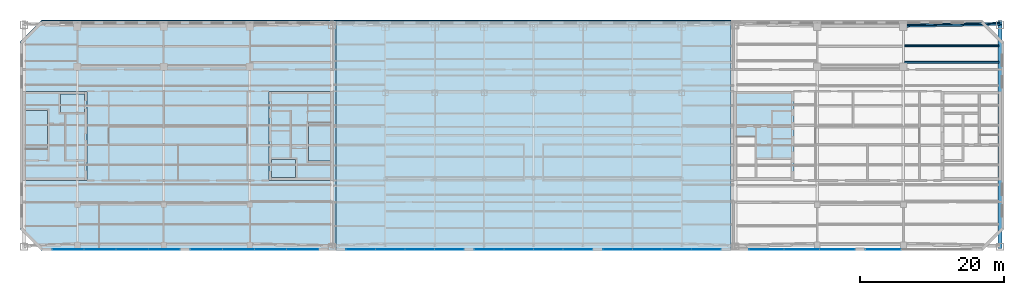
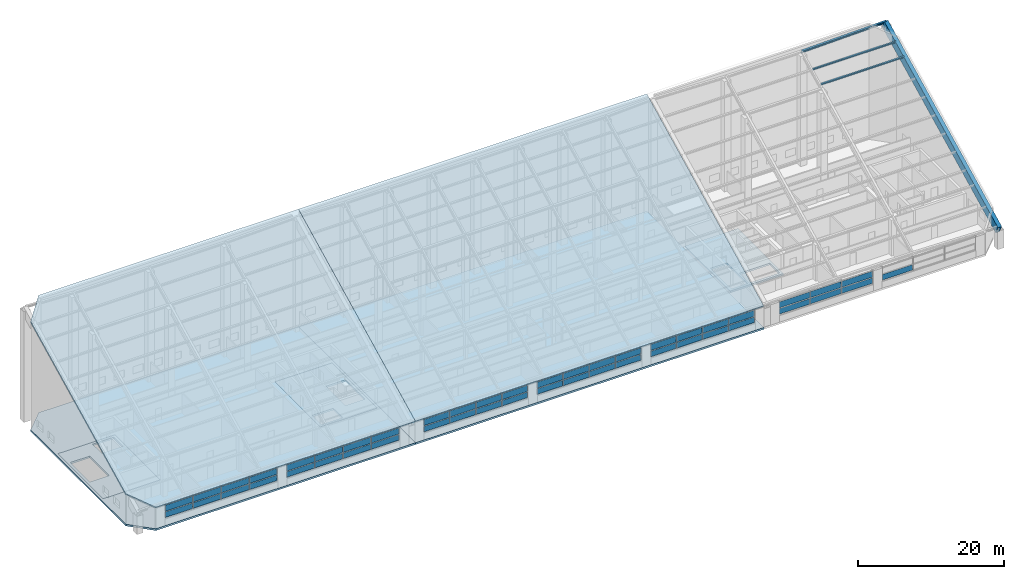
# One storey, part 17 of 28: 47 plates, 7 slabs, 4 members, 7 elements without a shape of their own.
"""IFC4 building model written with IfcOpenShell, lengths in metres."""

import ifcopenshell
import ifcopenshell.guid

model = None  # the IFC model being written
_history = None  # IfcOwnerHistory: only IFC2X3 demands one
_inside = {}  # id of a spatial element -> (the spatial element, [elements in it])
_under = {}  # id of a project, library or spatial element -> (it, [spatial elements below it])
_declared = {}  # id of a project -> (the project, [libraries it declares])
_typed = {}  # id of a type object -> (the type object, [elements of that type])
_made_of = {}  # id of a material, layer set ... -> (it, [elements and type objects made of it])


def new_model(schema):
    """Start an empty IFC model of exactly this schema.

    Asked for "IFC4X3", IfcOpenShell would pick the latest addendum, in which some entities
    have other attributes; the version numbers below select the first issue.
    IFC2X3 requires an IfcOwnerHistory on every rooted entity: one is made here for all.
    """
    global model, _history
    if schema == "IFC4X3":
        model = ifcopenshell.file(schema_version=(4, 3, 0, 0))
    else:
        model = ifcopenshell.file(schema=schema)
    _inside.clear()
    _under.clear()
    _declared.clear()
    _typed.clear()
    _made_of.clear()
    _history = None
    if model.schema == "IFC2X3":
        org = make("IfcOrganization", Name="unknown")
        user = make(
            "IfcPersonAndOrganization",
            ThePerson=make("IfcPerson", FamilyName="unknown"),
            TheOrganization=org,
        )
        app = make(
            "IfcApplication",
            ApplicationDeveloper=org,
            Version="unknown",
            ApplicationFullName="unknown",
            ApplicationIdentifier="unknown",
        )
        _history = make(
            "IfcOwnerHistory",
            OwningUser=user,
            OwningApplication=app,
            ChangeAction="ADDED",
            CreationDate=0,
        )
    return model


def make(cls, **values):
    """One entity of the class cls with the attributes given. An attribute that is None is left unset."""
    return model.create_entity(
        cls, **{name: value for name, value in values.items() if value is not None}
    )


def rooted(cls, **values):
    """An entity with a GlobalId (a new one), such as an element, a storey or a relation."""
    return make(cls, GlobalId=ifcopenshell.guid.new(), OwnerHistory=_history, **values)


def si_unit(unit_type, name, prefix=None):
    """IfcSIUnit, for example si_unit("LENGTHUNIT", "METRE", prefix="MILLI")."""
    return make("IfcSIUnit", UnitType=unit_type, Prefix=prefix, Name=name)


def assignment(units):
    """IfcUnitAssignment: the units of a project."""
    return None if units is None else make("IfcUnitAssignment", Units=units)


def point(xyz):
    """IfcCartesianPoint."""
    return None if xyz is None else make("IfcCartesianPoint", Coordinates=xyz)


def direction(xyz):
    """IfcDirection."""
    return None if xyz is None else make("IfcDirection", DirectionRatios=xyz)


def frame(location, z_axis=None, x_axis=None):
    """IfcAxis2Placement3D, a coordinate frame: its origin and axes. An axis left out is left unset."""
    return make(
        "IfcAxis2Placement3D",
        Location=point(location),
        Axis=direction(z_axis),
        RefDirection=direction(x_axis),
    )


def frame_2d(location, x_axis=None):
    """IfcAxis2Placement2D, a coordinate frame in the plane: its origin and x axis."""
    return make(
        "IfcAxis2Placement2D", Location=point(location), RefDirection=direction(x_axis)
    )


def origin():
    """The frame at (0, 0, 0) with its axes left unset."""
    return frame((0.0, 0.0, 0.0))


def origin_2d():
    """The frame at (0, 0) in the plane with its x axis left unset."""
    return frame_2d((0.0, 0.0))


def place(relative_to, where):
    """IfcLocalPlacement: puts the frame where relative to a parent placement (None: the world)."""
    return make(
        "IfcLocalPlacement", PlacementRelTo=relative_to, RelativePlacement=where
    )


def context(
    kind, dimensions, precision=None, world=None, true_north=None, identifier=None
):
    """IfcGeometricRepresentationContext, for example the 3D "Model" context."""
    return make(
        "IfcGeometricRepresentationContext",
        ContextIdentifier=identifier,
        ContextType=kind,
        CoordinateSpaceDimension=dimensions,
        Precision=precision,
        WorldCoordinateSystem=world,
        TrueNorth=true_north,
    )


def subcontext(parent, identifier, kind, view, scale=None):
    """IfcGeometricRepresentationSubContext, for example "Body" below "Model"."""
    return make(
        "IfcGeometricRepresentationSubContext",
        ContextIdentifier=identifier,
        ContextType=kind,
        ParentContext=parent,
        TargetScale=scale,
        TargetView=view,
    )


def project(units=None, contexts=None):
    """IfcProject with its units and contexts."""
    return rooted(
        "IfcProject",
        Name="project",
        RepresentationContexts=contexts,
        UnitsInContext=assignment(units),
    )


def spatial(cls, under=None, at=None, **own):
    """A site, building, storey or space (cls), placed at a placement, below another one or the project."""
    s = rooted(cls, ObjectPlacement=at, **own)
    if under is not None:
        _under.setdefault(under.id(), (under, []))[1].append(s)
    return s


def polyline(points):
    """IfcPolyline through the points."""
    return make("IfcPolyline", Points=[point(p) for p in points])


def profile(cls, at=None, kind="AREA", **sizes):
    """A parametric profile (cls). Its sizes go by their IFC names, for example OverallWidth=200.0."""
    return make(cls, ProfileType=kind, Position=at, **sizes)


def rectangle(**sizes):
    """IfcRectangleProfileDef."""
    return profile("IfcRectangleProfileDef", **sizes)


def hollow_rectangle(**sizes):
    """IfcRectangleHollowProfileDef."""
    return profile("IfcRectangleHollowProfileDef", **sizes)


def i_section(**sizes):
    """IfcIShapeProfileDef."""
    return profile("IfcIShapeProfileDef", **sizes)


def outline(outer, holes=None, kind="AREA"):
    """IfcArbitraryClosedProfileDef: a profile drawn as a closed curve; with holes, ...WithVoids."""
    if holes is None:
        return make("IfcArbitraryClosedProfileDef", ProfileType=kind, OuterCurve=outer)
    return make(
        "IfcArbitraryProfileDefWithVoids",
        ProfileType=kind,
        OuterCurve=outer,
        InnerCurves=holes,
    )


def extrude(swept, where, along, depth):
    """IfcExtrudedAreaSolid: the profile swept, set in the frame where, extruded along a direction by depth."""
    return make(
        "IfcExtrudedAreaSolid",
        SweptArea=swept,
        Position=where,
        ExtrudedDirection=direction(along),
        Depth=depth,
    )


def shape(context_of_items, identifier, shape_type, items):
    """IfcShapeRepresentation: the items that make up one representation, for example the "Body"."""
    return make(
        "IfcShapeRepresentation",
        ContextOfItems=context_of_items,
        RepresentationIdentifier=identifier,
        RepresentationType=shape_type,
        Items=items,
    )


def material(Name=None, Category=None):
    """IfcMaterial."""
    return make("IfcMaterial", Name=Name, Category=Category)


def layer(
    of_material, thickness, ventilated=None, Name=None, Category=None, Priority=None
):
    """IfcMaterialLayer: one layer of a wall or slab, of a material (None: an air gap)."""
    return make(
        "IfcMaterialLayer",
        Material=of_material,
        LayerThickness=thickness,
        IsVentilated=ventilated,
        Name=Name,
        Category=Category,
        Priority=Priority,
    )


def layer_set(layers, Name=None):
    """IfcMaterialLayerSet."""
    return make("IfcMaterialLayerSet", MaterialLayers=layers, LayerSetName=Name)


def material_profile(
    of_material, cross_section, Name=None, Category=None, Priority=None
):
    """IfcMaterialProfile: a cross section and its material."""
    return make(
        "IfcMaterialProfile",
        Name=Name,
        Material=of_material,
        Profile=cross_section,
        Priority=Priority,
        Category=Category,
    )


def profile_set(profiles, Name=None, composite=None):
    """IfcMaterialProfileSet."""
    return make(
        "IfcMaterialProfileSet",
        Name=Name,
        MaterialProfiles=profiles,
        CompositeProfile=composite,
    )


def made_of(thing, what):
    """Note that an element or type object is made of a material, layer set ...; save() writes the relation."""
    if what is not None:
        _made_of.setdefault(what.id(), (what, []))[1].append(thing)
    return thing


def type_object(cls, material=None, **own):
    """A type object (cls), such as IfcWallType, which elements share."""
    return made_of(rooted(cls, **own), material)


def element(
    cls,
    number,
    at=None,
    inside=None,
    cuts=None,
    type_object=None,
    material=None,
    context=None,
    identifier="Body",
    shape_type=None,
    held_by="IfcProductDefinitionShape",
    body=None,
    shapes=None,
    **own,
):
    """One element of the class cls, such as IfcWall. Its Tag is "e" and its number.

    at: its placement. inside: the storey or other place that contains it. cuts: it is an
    opening in that element (IfcRelVoidsElement). A single representation is given by context,
    identifier, shape_type and body (its items); several are given by shapes. held_by: the class
    of the entity that holds the representations. save() writes the other relations.
    """
    e = rooted(cls, Tag="e%d" % number, ObjectPlacement=at, **own)
    if body is not None:
        shapes = [shape(context, identifier, shape_type, body)]
    if shapes is not None:
        e.Representation = make(held_by, Representations=shapes)
    if inside is not None:
        _inside.setdefault(inside.id(), (inside, []))[1].append(e)
    if cuts is not None:
        rooted(
            "IfcRelVoidsElement", RelatingBuildingElement=cuts, RelatedOpeningElement=e
        )
    if type_object is not None:
        _typed.setdefault(type_object.id(), (type_object, []))[1].append(e)
    return made_of(e, material)


def aggregate(whole, parts):
    """IfcRelAggregates: a whole, such as a stair, and the parts it consists of."""
    return rooted("IfcRelAggregates", RelatingObject=whole, RelatedObjects=parts)


def save(model, path):
    """Write the relations noted so far, then the file.

    IfcRelAggregates (storeys below a building ...), IfcRelContainedInSpatialStructure (elements
    in a storey), IfcRelDefinesByType, IfcRelAssociatesMaterial and IfcRelDeclares: one each for
    every whole, place, type object, material and project.
    """
    for whole, parts in _under.values():
        aggregate(whole, parts)
    for where, things in _inside.values():
        rooted(
            "IfcRelContainedInSpatialStructure",
            RelatedElements=things,
            RelatingStructure=where,
        )
    for kind, things in _typed.values():
        rooted("IfcRelDefinesByType", RelatedObjects=things, RelatingType=kind)
    for what, things in _made_of.values():
        rooted("IfcRelAssociatesMaterial", RelatedObjects=things, RelatingMaterial=what)
    for by, libraries in _declared.values():
        rooted("IfcRelDeclares", RelatingContext=by, RelatedDefinitions=libraries)
    model.write(path)


model = new_model("IFC4")

# Units and contexts
model_context = context("Model", 3, precision=1e-05, world=origin(), true_north=direction((0.0, 1.0)))
body_context = subcontext(model_context, "Body", "Model", "MODEL_VIEW")
ifc_project = project(units=[si_unit("LENGTHUNIT", "METRE"), si_unit("AREAUNIT", "SQUARE_METRE"), si_unit("VOLUMEUNIT", "CUBIC_METRE"), si_unit("PLANEANGLEUNIT", "RADIAN"), si_unit("MASSUNIT", "GRAM", prefix="KILO")], contexts=[model_context])

# Site, building, storey
site_placement = place(None, origin())
site = spatial("IfcSite", under=ifc_project, at=site_placement, CompositionType="ELEMENT")
building_placement = place(site_placement, origin())
building = spatial("IfcBuilding", under=site, at=building_placement, Name="Tuart Gate Housing", CompositionType="ELEMENT")
storey_placement = place(building_placement, frame((0.0, 0.0, 243.89990234375)))
storey = spatial("IfcBuildingStorey", under=building, at=storey_placement, Name="L68", CompositionType="ELEMENT", Elevation=243.89990234375)

# Members
ifc_material_1 = material(Name="Steel Grade 350", Category="steel")
ifc_material_profile_1 = material_profile(ifc_material_1, i_section(OverallWidth=0.22900390625, OverallDepth=0.612060546875, WebThickness=0.011962890625, FlangeThickness=0.01953125, at=origin_2d()), Name="610UB125")
ifc_profile_set_1 = profile_set([ifc_material_profile_1], Name="Steel Grade 350")
member_type_1 = type_object("IfcMemberType", Name="Crown purlin 610 UB125 (11.5-13.5 m)", PredefinedType="PURLIN", material=ifc_profile_set_1)
member_1_placement = place(storey_placement, frame((155.0, 85.3369140625, 18.62646484375), z_axis=(0.999784137114, 0.018583415738, 0.009291707869), x_axis=(-0.020776890343, 0.894195116491, 0.447195051931)))
element("IfcMember", 1, at=member_1_placement, inside=storey, type_object=member_type_1, Name="Crown purlin 45", PredefinedType="PURLIN", context=body_context, shape_type="SweptSolid", body=[
    extrude(i_section(OverallWidth=0.22900390625, OverallDepth=0.612060546875, WebThickness=0.011962890625, FlangeThickness=0.01953125, at=origin_2d()), origin(), (0.0, 0.0, 1.0), 13.452880859375),
])
ifc_material_2 = material(Name="Steel Grade 350", Category="steel")
ifc_material_profile_2 = material_profile(ifc_material_2, hollow_rectangle(XDim=0.60009765625, YDim=1.39990234375, WallThickness=0.0419921875, at=origin_2d()), Name="BOX 1400x600x42")
ifc_profile_set_2 = profile_set([ifc_material_profile_2], Name="Steel Grade 350")
member_type_2 = type_object("IfcMemberType", Name="Crown rafter BOX 1400x600x42", PredefinedType="RAFTER", material=ifc_profile_set_2)
member_2_placement = place(storey_placement, frame((168.449951171875, 54.613037109375, 2.823974609375), z_axis=(0.0, 0.894427191, 0.4472135955), x_axis=(-1.0, 0.0, 0.0)))
element("IfcMember", 2, at=member_2_placement, inside=storey, type_object=member_type_2, Name="Crown rafter 40", PredefinedType="RAFTER", context=body_context, shape_type="SweptSolid", body=[
    extrude(hollow_rectangle(XDim=0.60009765625, YDim=1.39990234375, WallThickness=0.0419921875, at=origin_2d()), origin(), (0.0, 0.0, 1.0), 34.82666015625),
])
ifc_material_3 = material(Name="Steel Grade 350", Category="steel")
ifc_material_profile_3 = material_profile(ifc_material_3, i_section(OverallWidth=0.177978515625, OverallDepth=0.403076171875, WebThickness=0.007568359375, FlangeThickness=0.010986328125, at=origin_2d()), Name="410UB53.7")
ifc_profile_set_3 = profile_set([ifc_material_profile_3], Name="Steel Grade 350")
member_type_3 = type_object("IfcMemberType", Name="Crown secondary purlin 410 UB53.7", PredefinedType="PURLIN", material=ifc_profile_set_3)
for number, where, z_axis, x_axis, name in (
    (3, (155.114501953125, 80.2626953125, 16.206298828125), (1.0, 0.0, 0.0), (0.0, 0.89442680992, 0.44721435766), "Crown secondary purlin 114"),
    (4, (155.114501953125, 82.526611328125, 17.338134765625), (1.0, 0.0, 0.0), (0.0, 0.89442680992, 0.44721435766), "Crown secondary purlin 129"),
):
    element("IfcMember", number, at=place(storey_placement, frame(where, z_axis=z_axis, x_axis=x_axis)), inside=storey, type_object=member_type_3, Name=name, PredefinedType="PURLIN", context=body_context, shape_type="SweptSolid", body=[
        extrude(i_section(OverallWidth=0.177978515625, OverallDepth=0.403076171875, WebThickness=0.007568359375, FlangeThickness=0.010986328125, at=origin_2d()), origin(), (0.0, 0.0, 1.0), 13.160400390625),
    ])

# Slabs
ifc_material_4 = material(Name="Zinc standing seam roof on insulated deck")
ifc_layer_1 = layer(ifc_material_4, 0.268310546875)
ifc_layer_set_1 = layer_set([ifc_layer_1], Name="CROWN ROOF")
slab_type_1 = type_object("IfcSlabType", Name="CROWN ROOF", PredefinedType="ROOF", material=ifc_layer_set_1)
slab_1_placement = place(storey_placement, frame((35.0, 54.0, 3.60009765625), z_axis=(0.0, -0.4472135955, 0.894427191), x_axis=(-0.666666666667, 0.666666666667, 0.333333333333)))
element("IfcSlab", 5, at=slab_1_placement, inside=storey, type_object=slab_type_1, Name="Crown roof 1", PredefinedType="ROOF", context=body_context, shape_type="SweptSolid", body=[
    extrude(outline(polyline([(0.0, 0.0), (4.5, 0.0), (26.166666666666664, -19.379255804998174), (26.666666666666664, -23.851391759997753), (-0.666666666666667, -54.41098745249488), (-27.333333333333332, -30.559595692497123), (0.0, 0.0)])), origin(), (0.0, 0.0, -1.0), 0.268310546875),
])
slab_2_placement = place(storey_placement, frame((76.0, 54.0, 3.60009765625), z_axis=(0.0, -0.4472135955, 0.894427191), x_axis=(0.0, 0.894427191, 0.4472135955)))
element("IfcSlab", 6, at=slab_2_placement, inside=storey, type_object=slab_type_1, Name="Crown roof 2", PredefinedType="ROOF", context=body_context, shape_type="SweptSolid", body=[
    extrude(outline(polyline([(0.0, 0.0), (35.77708763999664, 0.0), (35.77708763999664, -55.000000000000014), (0.0, -55.000000000000014), (0.0, 0.0)])), origin(), (0.0, 0.0, -1.0), 0.268310546875),
])
ifc_material_5 = material(Name="Concrete C40", Category="concrete")
ifc_layer_2 = layer(ifc_material_5, 0.300048828125)
ifc_layer_set_2 = layer_set([ifc_layer_2], Name="Core floor slab 300")
slab_type_2 = type_object("IfcSlabType", Name="Core floor slab 300", PredefinedType="FLOOR", material=ifc_layer_set_2)
slab_3_placement = place(storey_placement, frame((0.0, 0.0, -0.2998046875)))
element("IfcSlab", 7, at=slab_3_placement, inside=storey, type_object=slab_type_2, Name="Core floor AG", PredefinedType="FLOOR", context=body_context, shape_type="SweptSolid", body=[
    extrude(outline(polyline([(66.639892578125, 63.800048828125), (75.639892578125, 63.800048828125), (75.639892578125, 76.199951171875), (66.639892578125, 76.199951171875), (66.639892578125, 63.800048828125)]), holes=[polyline([(67.0400390625, 64.199951171875), (70.385009765625, 64.199951171875), (70.385009765625, 66.72509765625), (67.0400390625, 66.72509765625), (67.0400390625, 64.199951171875)]), polyline([(72.1650390625, 66.47509765625), (75.239990234375, 66.47509765625), (75.239990234375, 71.804931640625), (72.1650390625, 71.804931640625), (72.1650390625, 66.47509765625)])]), origin(), (0.0, 0.0, 1.0), 0.2998046875),
])
slab_4_placement = place(storey_placement, frame((0.0, 0.0, -0.2998046875)))
element("IfcSlab", 8, at=slab_4_placement, inside=storey, type_object=slab_type_2, Name="Core floor AK", PredefinedType="FLOOR", context=body_context, shape_type="SweptSolid", body=[
    extrude(outline(polyline([(32.360107421875, 63.800048828125), (41.360107421875, 63.800048828125), (41.360107421875, 76.199951171875), (32.360107421875, 76.199951171875), (32.360107421875, 63.800048828125)]), holes=[polyline([(40.9599609375, 75.800048828125), (37.614990234375, 75.800048828125), (37.614990234375, 73.27490234375), (40.9599609375, 73.27490234375), (40.9599609375, 75.800048828125)]), polyline([(35.8349609375, 73.52490234375), (32.760009765625, 73.52490234375), (32.760009765625, 68.195068359375), (35.8349609375, 68.195068359375), (35.8349609375, 73.52490234375)])]), origin(), (0.0, 0.0, 1.0), 0.2998046875),
])
slab_5_placement = place(storey_placement, frame((0.0, 0.0, -0.2998046875)))
element("IfcSlab", 9, at=slab_5_placement, inside=storey, type_object=slab_type_2, Name="Core floor BG", PredefinedType="FLOOR", context=body_context, shape_type="SweptSolid", body=[
    extrude(outline(polyline([(131.360107421875, 63.800048828125), (139.760009765625, 63.800048828125), (139.760009765625, 76.199951171875), (131.360107421875, 76.199951171875), (131.360107421875, 63.800048828125)]), holes=[polyline([(139.360107421875, 66.85009765625), (134.5849609375, 66.85009765625), (134.5849609375, 64.199951171875), (139.360107421875, 64.199951171875), (139.360107421875, 66.85009765625)]), polyline([(134.3349609375, 69.85498046875), (131.760009765625, 69.85498046875), (131.760009765625, 64.199951171875), (134.3349609375, 64.199951171875), (134.3349609375, 69.85498046875)])]), origin(), (0.0, 0.0, 1.0), 0.2998046875),
])
ifc_material_6 = material(Name="Concrete C40", Category="concrete")
ifc_layer_3 = layer(ifc_material_6, 0.300048828125)
ifc_layer_set_3 = layer_set([ifc_layer_3], Name="Flat plate 300")
slab_type_3 = type_object("IfcSlabType", Name="Flat plate 300", PredefinedType="FLOOR", material=ifc_layer_set_3)
slab_6_placement = place(storey_placement, frame((0.0, 0.0, -0.2998046875)))
element("IfcSlab", 10, at=slab_6_placement, inside=storey, type_object=slab_type_3, Name="Floor slab A L68", PredefinedType="FLOOR", context=body_context, shape_type="SweptSolid", body=[
    extrude(outline(polyline([(35.0, 86.0), (32.0, 83.0), (32.0, 57.0), (35.0, 54.0), (76.0, 54.0), (76.0, 86.0), (35.0, 86.0)]), holes=[polyline([(66.639892578125, 76.199951171875), (75.639892578125, 76.199951171875), (75.639892578125, 63.800048828125), (66.639892578125, 63.800048828125), (66.639892578125, 76.199951171875)]), polyline([(41.360107421875, 76.199951171875), (41.360107421875, 63.800048828125), (32.360107421875, 63.800048828125), (32.360107421875, 76.199951171875), (41.360107421875, 76.199951171875)])]), origin(), (0.0, 0.0, 1.0), 0.2998046875),
])
slab_7_placement = place(storey_placement, frame((0.0, 0.0, -0.2998046875)))
element("IfcSlab", 11, at=slab_7_placement, inside=storey, type_object=slab_type_3, Name="Link floor slab L68", PredefinedType="FLOOR", context=body_context, shape_type="SweptSolid", body=[
    extrude(outline(polyline([(76.0, 54.0), (131.0, 54.0), (131.0, 86.0), (76.0, 86.0), (76.0, 54.0)])), origin(), (0.0, 0.0, 1.0), 0.2998046875),
])

# Curtain wall, plates
ifc_material_7 = material(Name="Aluminium and clear glass", Category="aluminium")
curtain_wall_type = type_object("IfcCurtainWallType", Name="Crown clerestory glazing", PredefinedType="USERDEFINED", material=ifc_material_7)
curtain_wall_1_placement = place(storey_placement, origin())
curtain_wall_1 = element("IfcCurtainWall", 12, at=curtain_wall_1_placement, inside=storey, type_object=curtain_wall_type, Name="Crown clerestory glazing BLK-S L68", ObjectType="CROWN CLERESTORY GLAZING", PredefinedType="USERDEFINED")
ifc_material_8 = material(Name="Clear glass", Category="glass")
ifc_layer_4 = layer(ifc_material_8, 0.028076171875)
ifc_layer_set_4 = layer_set([ifc_layer_4], Name="Glazed panel 28")
plate_type = type_object("IfcPlateType", Name="Glazed panel 28", PredefinedType="CURTAIN_PANEL", material=ifc_layer_set_4)
plate_1_placement = place(storey_placement, frame((38.71923828125, 54.179931640625, 1.22021484375), z_axis=(0.0, 0.0, 1.0), x_axis=(1.0, 0.0, 0.0)))
plate_1 = element("IfcPlate", 13, at=plate_1_placement, type_object=plate_type, Name="CW6 panel 1.1", PredefinedType="CURTAIN_PANEL", context=body_context, shape_type="SweptSolid", body=[
    extrude(rectangle(XDim=4.369384765625, YDim=0.028076171875, at=origin_2d()), origin(), (0.0, 0.0, 1.0), 0.919921875),
])
plate_2_placement = place(storey_placement, frame((38.71923828125, 54.179931640625, 2.26025390625), z_axis=(0.0, 0.0, 1.0), x_axis=(1.0, 0.0, 0.0)))
plate_2 = element("IfcPlate", 14, at=plate_2_placement, type_object=plate_type, Name="CW6 panel 1.2", PredefinedType="CURTAIN_PANEL", context=body_context, shape_type="SweptSolid", body=[
    extrude(rectangle(XDim=4.369384765625, YDim=0.028076171875, at=origin_2d()), origin(), (0.0, 0.0, 1.0), 1.010009765625),
])
plate_3_placement = place(storey_placement, frame((43.163818359375, 54.179931640625, 1.22021484375), z_axis=(0.0, 0.0, 1.0), x_axis=(1.0, 0.0, 0.0)))
plate_3 = element("IfcPlate", 15, at=plate_3_placement, type_object=plate_type, Name="CW6 panel 2.1", PredefinedType="CURTAIN_PANEL", context=body_context, shape_type="SweptSolid", body=[
    extrude(rectangle(XDim=4.3994140625, YDim=0.028076171875, at=origin_2d()), origin(), (0.0, 0.0, 1.0), 0.919921875),
])
plate_4_placement = place(storey_placement, frame((43.163818359375, 54.179931640625, 2.26025390625), z_axis=(0.0, 0.0, 1.0), x_axis=(1.0, 0.0, 0.0)))
plate_4 = element("IfcPlate", 16, at=plate_4_placement, type_object=plate_type, Name="CW6 panel 2.2", PredefinedType="CURTAIN_PANEL", context=body_context, shape_type="SweptSolid", body=[
    extrude(rectangle(XDim=4.3994140625, YDim=0.028076171875, at=origin_2d()), origin(), (0.0, 0.0, 1.0), 1.010009765625),
])
plate_5_placement = place(storey_placement, frame((47.623046875, 54.179931640625, 1.22021484375), z_axis=(0.0, 0.0, 1.0), x_axis=(1.0, 0.0, 0.0)))
plate_5 = element("IfcPlate", 17, at=plate_5_placement, type_object=plate_type, Name="CW6 panel 3.1", PredefinedType="CURTAIN_PANEL", context=body_context, shape_type="SweptSolid", body=[
    extrude(rectangle(XDim=4.3994140625, YDim=0.028076171875, at=origin_2d()), origin(), (0.0, 0.0, 1.0), 0.919921875),
])
plate_6_placement = place(storey_placement, frame((47.623046875, 54.179931640625, 2.26025390625), z_axis=(0.0, 0.0, 1.0), x_axis=(1.0, 0.0, 0.0)))
plate_6 = element("IfcPlate", 18, at=plate_6_placement, type_object=plate_type, Name="CW6 panel 3.2", PredefinedType="CURTAIN_PANEL", context=body_context, shape_type="SweptSolid", body=[
    extrude(rectangle(XDim=4.3994140625, YDim=0.028076171875, at=origin_2d()), origin(), (0.0, 0.0, 1.0), 1.010009765625),
])
plate_7_placement = place(storey_placement, frame((52.067626953125, 54.179931640625, 1.22021484375), z_axis=(0.0, 0.0, 1.0), x_axis=(1.0, 0.0, 0.0)))
plate_7 = element("IfcPlate", 19, at=plate_7_placement, type_object=plate_type, Name="CW6 panel 4.1", PredefinedType="CURTAIN_PANEL", context=body_context, shape_type="SweptSolid", body=[
    extrude(rectangle(XDim=4.369384765625, YDim=0.028076171875, at=origin_2d()), origin(), (0.0, 0.0, 1.0), 0.919921875),
])
plate_8_placement = place(storey_placement, frame((52.067626953125, 54.179931640625, 2.26025390625), z_axis=(0.0, 0.0, 1.0), x_axis=(1.0, 0.0, 0.0)))
plate_8 = element("IfcPlate", 20, at=plate_8_placement, type_object=plate_type, Name="CW6 panel 4.2", PredefinedType="CURTAIN_PANEL", context=body_context, shape_type="SweptSolid", body=[
    extrude(rectangle(XDim=4.369384765625, YDim=0.028076171875, at=origin_2d()), origin(), (0.0, 0.0, 1.0), 1.010009765625),
])
aggregate(curtain_wall_1, [plate_1, plate_2, plate_3, plate_4, plate_5, plate_6, plate_7, plate_8])

curtain_wall_2_placement = place(storey_placement, origin())
curtain_wall_2 = element("IfcCurtainWall", 21, at=curtain_wall_2_placement, inside=storey, type_object=curtain_wall_type, Name="Crown clerestory glazing BLK-S L68", ObjectType="CROWN CLERESTORY GLAZING", PredefinedType="USERDEFINED")
plate_9_placement = place(storey_placement, frame((57.95703125, 54.179931640625, 1.22021484375), z_axis=(0.0, 0.0, 1.0), x_axis=(1.0, 0.0, 0.0)))
plate_9 = element("IfcPlate", 22, at=plate_9_placement, type_object=plate_type, Name="CW6 panel 1.1", PredefinedType="CURTAIN_PANEL", context=body_context, shape_type="SweptSolid", body=[
    extrude(rectangle(XDim=4.369384765625, YDim=0.028076171875, at=origin_2d()), origin(), (0.0, 0.0, 1.0), 0.919921875),
])
plate_10_placement = place(storey_placement, frame((57.95703125, 54.179931640625, 2.26025390625), z_axis=(0.0, 0.0, 1.0), x_axis=(1.0, 0.0, 0.0)))
plate_10 = element("IfcPlate", 23, at=plate_10_placement, type_object=plate_type, Name="CW6 panel 1.2", PredefinedType="CURTAIN_PANEL", context=body_context, shape_type="SweptSolid", body=[
    extrude(rectangle(XDim=4.369384765625, YDim=0.028076171875, at=origin_2d()), origin(), (0.0, 0.0, 1.0), 1.010009765625),
])
plate_11_placement = place(storey_placement, frame((62.4013671875, 54.179931640625, 1.22021484375), z_axis=(0.0, 0.0, 1.0), x_axis=(1.0, 0.0, 0.0)))
plate_11 = element("IfcPlate", 24, at=plate_11_placement, type_object=plate_type, Name="CW6 panel 2.1", PredefinedType="CURTAIN_PANEL", context=body_context, shape_type="SweptSolid", body=[
    extrude(rectangle(XDim=4.3994140625, YDim=0.028076171875, at=origin_2d()), origin(), (0.0, 0.0, 1.0), 0.919921875),
])
plate_12_placement = place(storey_placement, frame((62.4013671875, 54.179931640625, 2.26025390625), z_axis=(0.0, 0.0, 1.0), x_axis=(1.0, 0.0, 0.0)))
plate_12 = element("IfcPlate", 25, at=plate_12_placement, type_object=plate_type, Name="CW6 panel 2.2", PredefinedType="CURTAIN_PANEL", context=body_context, shape_type="SweptSolid", body=[
    extrude(rectangle(XDim=4.3994140625, YDim=0.028076171875, at=origin_2d()), origin(), (0.0, 0.0, 1.0), 1.010009765625),
])
plate_13_placement = place(storey_placement, frame((66.86083984375, 54.179931640625, 1.22021484375), z_axis=(0.0, 0.0, 1.0), x_axis=(1.0, 0.0, 0.0)))
plate_13 = element("IfcPlate", 26, at=plate_13_placement, type_object=plate_type, Name="CW6 panel 3.1", PredefinedType="CURTAIN_PANEL", context=body_context, shape_type="SweptSolid", body=[
    extrude(rectangle(XDim=4.3994140625, YDim=0.028076171875, at=origin_2d()), origin(), (0.0, 0.0, 1.0), 0.919921875),
])
plate_14_placement = place(storey_placement, frame((66.86083984375, 54.179931640625, 2.26025390625), z_axis=(0.0, 0.0, 1.0), x_axis=(1.0, 0.0, 0.0)))
plate_14 = element("IfcPlate", 27, at=plate_14_placement, type_object=plate_type, Name="CW6 panel 3.2", PredefinedType="CURTAIN_PANEL", context=body_context, shape_type="SweptSolid", body=[
    extrude(rectangle(XDim=4.3994140625, YDim=0.028076171875, at=origin_2d()), origin(), (0.0, 0.0, 1.0), 1.010009765625),
])
plate_15_placement = place(storey_placement, frame((71.30517578125, 54.179931640625, 1.22021484375), z_axis=(0.0, 0.0, 1.0), x_axis=(1.0, 0.0, 0.0)))
plate_15 = element("IfcPlate", 28, at=plate_15_placement, type_object=plate_type, Name="CW6 panel 4.1", PredefinedType="CURTAIN_PANEL", context=body_context, shape_type="SweptSolid", body=[
    extrude(rectangle(XDim=4.369384765625, YDim=0.028076171875, at=origin_2d()), origin(), (0.0, 0.0, 1.0), 0.919921875),
])
plate_16_placement = place(storey_placement, frame((71.30517578125, 54.179931640625, 2.26025390625), z_axis=(0.0, 0.0, 1.0), x_axis=(1.0, 0.0, 0.0)))
plate_16 = element("IfcPlate", 29, at=plate_16_placement, type_object=plate_type, Name="CW6 panel 4.2", PredefinedType="CURTAIN_PANEL", context=body_context, shape_type="SweptSolid", body=[
    extrude(rectangle(XDim=4.369384765625, YDim=0.028076171875, at=origin_2d()), origin(), (0.0, 0.0, 1.0), 1.010009765625),
])
aggregate(curtain_wall_2, [plate_9, plate_10, plate_11, plate_12, plate_13, plate_14, plate_15, plate_16])

curtain_wall_3_placement = place(storey_placement, origin())
curtain_wall_3 = element("IfcCurtainWall", 30, at=curtain_wall_3_placement, inside=storey, type_object=curtain_wall_type, Name="Crown clerestory glazing BLK-S L68", ObjectType="CROWN CLERESTORY GLAZING", PredefinedType="USERDEFINED")
plate_17_placement = place(storey_placement, frame((79.427490234375, 54.179931640625, 1.22021484375), z_axis=(0.0, 0.0, 1.0), x_axis=(1.0, 0.0, 0.0)))
plate_17 = element("IfcPlate", 31, at=plate_17_placement, type_object=plate_type, Name="CW6 panel 1.1", PredefinedType="CURTAIN_PANEL", context=body_context, shape_type="SweptSolid", body=[
    extrude(rectangle(XDim=4.034912109375, YDim=0.028076171875, at=origin_2d()), origin(), (0.0, 0.0, 1.0), 0.919921875),
])
plate_18_placement = place(storey_placement, frame((79.427490234375, 54.179931640625, 2.26025390625), z_axis=(0.0, 0.0, 1.0), x_axis=(1.0, 0.0, 0.0)))
plate_18 = element("IfcPlate", 32, at=plate_18_placement, type_object=plate_type, Name="CW6 panel 1.2", PredefinedType="CURTAIN_PANEL", context=body_context, shape_type="SweptSolid", body=[
    extrude(rectangle(XDim=4.034912109375, YDim=0.028076171875, at=origin_2d()), origin(), (0.0, 0.0, 1.0), 1.010009765625),
])
plate_19_placement = place(storey_placement, frame((83.53759765625, 54.179931640625, 1.22021484375), z_axis=(0.0, 0.0, 1.0), x_axis=(1.0, 0.0, 0.0)))
plate_19 = element("IfcPlate", 33, at=plate_19_placement, type_object=plate_type, Name="CW6 panel 2.1", PredefinedType="CURTAIN_PANEL", context=body_context, shape_type="SweptSolid", body=[
    extrude(rectangle(XDim=4.06494140625, YDim=0.028076171875, at=origin_2d()), origin(), (0.0, 0.0, 1.0), 0.919921875),
])
plate_20_placement = place(storey_placement, frame((83.53759765625, 54.179931640625, 2.26025390625), z_axis=(0.0, 0.0, 1.0), x_axis=(1.0, 0.0, 0.0)))
plate_20 = element("IfcPlate", 34, at=plate_20_placement, type_object=plate_type, Name="CW6 panel 2.2", PredefinedType="CURTAIN_PANEL", context=body_context, shape_type="SweptSolid", body=[
    extrude(rectangle(XDim=4.06494140625, YDim=0.028076171875, at=origin_2d()), origin(), (0.0, 0.0, 1.0), 1.010009765625),
])
plate_21_placement = place(storey_placement, frame((87.66259765625, 54.179931640625, 1.22021484375), z_axis=(0.0, 0.0, 1.0), x_axis=(1.0, 0.0, 0.0)))
plate_21 = element("IfcPlate", 35, at=plate_21_placement, type_object=plate_type, Name="CW6 panel 3.1", PredefinedType="CURTAIN_PANEL", context=body_context, shape_type="SweptSolid", body=[
    extrude(rectangle(XDim=4.06494140625, YDim=0.028076171875, at=origin_2d()), origin(), (0.0, 0.0, 1.0), 0.919921875),
])
plate_22_placement = place(storey_placement, frame((87.66259765625, 54.179931640625, 2.26025390625), z_axis=(0.0, 0.0, 1.0), x_axis=(1.0, 0.0, 0.0)))
plate_22 = element("IfcPlate", 36, at=plate_22_placement, type_object=plate_type, Name="CW6 panel 3.2", PredefinedType="CURTAIN_PANEL", context=body_context, shape_type="SweptSolid", body=[
    extrude(rectangle(XDim=4.06494140625, YDim=0.028076171875, at=origin_2d()), origin(), (0.0, 0.0, 1.0), 1.010009765625),
])
plate_23_placement = place(storey_placement, frame((91.7724609375, 54.179931640625, 1.22021484375), z_axis=(0.0, 0.0, 1.0), x_axis=(1.0, 0.0, 0.0)))
plate_23 = element("IfcPlate", 37, at=plate_23_placement, type_object=plate_type, Name="CW6 panel 4.1", PredefinedType="CURTAIN_PANEL", context=body_context, shape_type="SweptSolid", body=[
    extrude(rectangle(XDim=4.034912109375, YDim=0.028076171875, at=origin_2d()), origin(), (0.0, 0.0, 1.0), 0.919921875),
])
plate_24_placement = place(storey_placement, frame((91.7724609375, 54.179931640625, 2.26025390625), z_axis=(0.0, 0.0, 1.0), x_axis=(1.0, 0.0, 0.0)))
plate_24 = element("IfcPlate", 38, at=plate_24_placement, type_object=plate_type, Name="CW6 panel 4.2", PredefinedType="CURTAIN_PANEL", context=body_context, shape_type="SweptSolid", body=[
    extrude(rectangle(XDim=4.034912109375, YDim=0.028076171875, at=origin_2d()), origin(), (0.0, 0.0, 1.0), 1.010009765625),
])
aggregate(curtain_wall_3, [plate_17, plate_18, plate_19, plate_20, plate_21, plate_22, plate_23, plate_24])

curtain_wall_4_placement = place(storey_placement, origin())
curtain_wall_4 = element("IfcCurtainWall", 39, at=curtain_wall_4_placement, inside=storey, type_object=curtain_wall_type, Name="Crown clerestory glazing BLK-S L68", ObjectType="CROWN CLERESTORY GLAZING", PredefinedType="USERDEFINED")
plate_25_placement = place(storey_placement, frame((97.327392578125, 54.179931640625, 1.22021484375), z_axis=(0.0, 0.0, 1.0), x_axis=(1.0, 0.0, 0.0)))
plate_25 = element("IfcPlate", 40, at=plate_25_placement, type_object=plate_type, Name="CW6 panel 1.1", PredefinedType="CURTAIN_PANEL", context=body_context, shape_type="SweptSolid", body=[
    extrude(rectangle(XDim=4.034912109375, YDim=0.028076171875, at=origin_2d()), origin(), (0.0, 0.0, 1.0), 0.919921875),
])
plate_26_placement = place(storey_placement, frame((97.327392578125, 54.179931640625, 2.26025390625), z_axis=(0.0, 0.0, 1.0), x_axis=(1.0, 0.0, 0.0)))
plate_26 = element("IfcPlate", 41, at=plate_26_placement, type_object=plate_type, Name="CW6 panel 1.2", PredefinedType="CURTAIN_PANEL", context=body_context, shape_type="SweptSolid", body=[
    extrude(rectangle(XDim=4.034912109375, YDim=0.028076171875, at=origin_2d()), origin(), (0.0, 0.0, 1.0), 1.010009765625),
])
plate_27_placement = place(storey_placement, frame((101.4375, 54.179931640625, 1.22021484375), z_axis=(0.0, 0.0, 1.0), x_axis=(1.0, 0.0, 0.0)))
plate_27 = element("IfcPlate", 42, at=plate_27_placement, type_object=plate_type, Name="CW6 panel 2.1", PredefinedType="CURTAIN_PANEL", context=body_context, shape_type="SweptSolid", body=[
    extrude(rectangle(XDim=4.06494140625, YDim=0.028076171875, at=origin_2d()), origin(), (0.0, 0.0, 1.0), 0.919921875),
])
plate_28_placement = place(storey_placement, frame((101.4375, 54.179931640625, 2.26025390625), z_axis=(0.0, 0.0, 1.0), x_axis=(1.0, 0.0, 0.0)))
plate_28 = element("IfcPlate", 43, at=plate_28_placement, type_object=plate_type, Name="CW6 panel 2.2", PredefinedType="CURTAIN_PANEL", context=body_context, shape_type="SweptSolid", body=[
    extrude(rectangle(XDim=4.06494140625, YDim=0.028076171875, at=origin_2d()), origin(), (0.0, 0.0, 1.0), 1.010009765625),
])
plate_29_placement = place(storey_placement, frame((105.5625, 54.179931640625, 1.22021484375), z_axis=(0.0, 0.0, 1.0), x_axis=(1.0, 0.0, 0.0)))
plate_29 = element("IfcPlate", 44, at=plate_29_placement, type_object=plate_type, Name="CW6 panel 3.1", PredefinedType="CURTAIN_PANEL", context=body_context, shape_type="SweptSolid", body=[
    extrude(rectangle(XDim=4.06494140625, YDim=0.028076171875, at=origin_2d()), origin(), (0.0, 0.0, 1.0), 0.919921875),
])
plate_30_placement = place(storey_placement, frame((105.5625, 54.179931640625, 2.26025390625), z_axis=(0.0, 0.0, 1.0), x_axis=(1.0, 0.0, 0.0)))
plate_30 = element("IfcPlate", 45, at=plate_30_placement, type_object=plate_type, Name="CW6 panel 3.2", PredefinedType="CURTAIN_PANEL", context=body_context, shape_type="SweptSolid", body=[
    extrude(rectangle(XDim=4.06494140625, YDim=0.028076171875, at=origin_2d()), origin(), (0.0, 0.0, 1.0), 1.010009765625),
])
plate_31_placement = place(storey_placement, frame((109.672607421875, 54.179931640625, 1.22021484375), z_axis=(0.0, 0.0, 1.0), x_axis=(1.0, 0.0, 0.0)))
plate_31 = element("IfcPlate", 46, at=plate_31_placement, type_object=plate_type, Name="CW6 panel 4.1", PredefinedType="CURTAIN_PANEL", context=body_context, shape_type="SweptSolid", body=[
    extrude(rectangle(XDim=4.034912109375, YDim=0.028076171875, at=origin_2d()), origin(), (0.0, 0.0, 1.0), 0.919921875),
])
plate_32_placement = place(storey_placement, frame((109.672607421875, 54.179931640625, 2.26025390625), z_axis=(0.0, 0.0, 1.0), x_axis=(1.0, 0.0, 0.0)))
plate_32 = element("IfcPlate", 47, at=plate_32_placement, type_object=plate_type, Name="CW6 panel 4.2", PredefinedType="CURTAIN_PANEL", context=body_context, shape_type="SweptSolid", body=[
    extrude(rectangle(XDim=4.034912109375, YDim=0.028076171875, at=origin_2d()), origin(), (0.0, 0.0, 1.0), 1.010009765625),
])
aggregate(curtain_wall_4, [plate_25, plate_26, plate_27, plate_28, plate_29, plate_30, plate_31, plate_32])

curtain_wall_5_placement = place(storey_placement, origin())
curtain_wall_5 = element("IfcCurtainWall", 48, at=curtain_wall_5_placement, inside=storey, type_object=curtain_wall_type, Name="Crown clerestory glazing BLK-S L68", ObjectType="CROWN CLERESTORY GLAZING", PredefinedType="USERDEFINED")
plate_33_placement = place(storey_placement, frame((115.2275390625, 54.179931640625, 1.22021484375), z_axis=(0.0, 0.0, 1.0), x_axis=(1.0, 0.0, 0.0)))
plate_33 = element("IfcPlate", 49, at=plate_33_placement, type_object=plate_type, Name="CW6 panel 1.1", PredefinedType="CURTAIN_PANEL", context=body_context, shape_type="SweptSolid", body=[
    extrude(rectangle(XDim=4.034912109375, YDim=0.028076171875, at=origin_2d()), origin(), (0.0, 0.0, 1.0), 0.919921875),
])
plate_34_placement = place(storey_placement, frame((115.2275390625, 54.179931640625, 2.26025390625), z_axis=(0.0, 0.0, 1.0), x_axis=(1.0, 0.0, 0.0)))
plate_34 = element("IfcPlate", 50, at=plate_34_placement, type_object=plate_type, Name="CW6 panel 1.2", PredefinedType="CURTAIN_PANEL", context=body_context, shape_type="SweptSolid", body=[
    extrude(rectangle(XDim=4.034912109375, YDim=0.028076171875, at=origin_2d()), origin(), (0.0, 0.0, 1.0), 1.010009765625),
])
plate_35_placement = place(storey_placement, frame((119.33740234375, 54.179931640625, 1.22021484375), z_axis=(0.0, 0.0, 1.0), x_axis=(1.0, 0.0, 0.0)))
plate_35 = element("IfcPlate", 51, at=plate_35_placement, type_object=plate_type, Name="CW6 panel 2.1", PredefinedType="CURTAIN_PANEL", context=body_context, shape_type="SweptSolid", body=[
    extrude(rectangle(XDim=4.06494140625, YDim=0.028076171875, at=origin_2d()), origin(), (0.0, 0.0, 1.0), 0.919921875),
])
plate_36_placement = place(storey_placement, frame((119.33740234375, 54.179931640625, 2.26025390625), z_axis=(0.0, 0.0, 1.0), x_axis=(1.0, 0.0, 0.0)))
plate_36 = element("IfcPlate", 52, at=plate_36_placement, type_object=plate_type, Name="CW6 panel 2.2", PredefinedType="CURTAIN_PANEL", context=body_context, shape_type="SweptSolid", body=[
    extrude(rectangle(XDim=4.06494140625, YDim=0.028076171875, at=origin_2d()), origin(), (0.0, 0.0, 1.0), 1.010009765625),
])
plate_37_placement = place(storey_placement, frame((123.46240234375, 54.179931640625, 1.22021484375), z_axis=(0.0, 0.0, 1.0), x_axis=(1.0, 0.0, 0.0)))
plate_37 = element("IfcPlate", 53, at=plate_37_placement, type_object=plate_type, Name="CW6 panel 3.1", PredefinedType="CURTAIN_PANEL", context=body_context, shape_type="SweptSolid", body=[
    extrude(rectangle(XDim=4.06494140625, YDim=0.028076171875, at=origin_2d()), origin(), (0.0, 0.0, 1.0), 0.919921875),
])
plate_38_placement = place(storey_placement, frame((123.46240234375, 54.179931640625, 2.26025390625), z_axis=(0.0, 0.0, 1.0), x_axis=(1.0, 0.0, 0.0)))
plate_38 = element("IfcPlate", 54, at=plate_38_placement, type_object=plate_type, Name="CW6 panel 3.2", PredefinedType="CURTAIN_PANEL", context=body_context, shape_type="SweptSolid", body=[
    extrude(rectangle(XDim=4.06494140625, YDim=0.028076171875, at=origin_2d()), origin(), (0.0, 0.0, 1.0), 1.010009765625),
])
plate_39_placement = place(storey_placement, frame((127.572509765625, 54.179931640625, 1.22021484375), z_axis=(0.0, 0.0, 1.0), x_axis=(1.0, 0.0, 0.0)))
plate_39 = element("IfcPlate", 55, at=plate_39_placement, type_object=plate_type, Name="CW6 panel 4.1", PredefinedType="CURTAIN_PANEL", context=body_context, shape_type="SweptSolid", body=[
    extrude(rectangle(XDim=4.034912109375, YDim=0.028076171875, at=origin_2d()), origin(), (0.0, 0.0, 1.0), 0.919921875),
])
plate_40_placement = place(storey_placement, frame((127.572509765625, 54.179931640625, 2.26025390625), z_axis=(0.0, 0.0, 1.0), x_axis=(1.0, 0.0, 0.0)))
plate_40 = element("IfcPlate", 56, at=plate_40_placement, type_object=plate_type, Name="CW6 panel 4.2", PredefinedType="CURTAIN_PANEL", context=body_context, shape_type="SweptSolid", body=[
    extrude(rectangle(XDim=4.034912109375, YDim=0.028076171875, at=origin_2d()), origin(), (0.0, 0.0, 1.0), 1.010009765625),
])
aggregate(curtain_wall_5, [plate_33, plate_34, plate_35, plate_36, plate_37, plate_38, plate_39, plate_40])

curtain_wall_6_placement = place(storey_placement, origin())
curtain_wall_6 = element("IfcCurtainWall", 57, at=curtain_wall_6_placement, inside=storey, type_object=curtain_wall_type, Name="Crown clerestory glazing BLK-S L68", ObjectType="CROWN CLERESTORY GLAZING", PredefinedType="USERDEFINED")
plate_41_placement = place(storey_placement, frame((135.93798828125, 54.179931640625, 1.22021484375), z_axis=(0.0, 0.0, 1.0), x_axis=(1.0, 0.0, 0.0)))
plate_41 = element("IfcPlate", 58, at=plate_41_placement, type_object=plate_type, Name="CW6 panel 1.1", PredefinedType="CURTAIN_PANEL", context=body_context, shape_type="SweptSolid", body=[
    extrude(rectangle(XDim=4.85595703125, YDim=0.028076171875, at=origin_2d()), origin(), (0.0, 0.0, 1.0), 0.919921875),
])
plate_42_placement = place(storey_placement, frame((135.93798828125, 54.179931640625, 2.26025390625), z_axis=(0.0, 0.0, 1.0), x_axis=(1.0, 0.0, 0.0)))
plate_42 = element("IfcPlate", 59, at=plate_42_placement, type_object=plate_type, Name="CW6 panel 1.2", PredefinedType="CURTAIN_PANEL", context=body_context, shape_type="SweptSolid", body=[
    extrude(rectangle(XDim=4.85595703125, YDim=0.028076171875, at=origin_2d()), origin(), (0.0, 0.0, 1.0), 1.010009765625),
])
plate_43_placement = place(storey_placement, frame((140.868896484375, 54.179931640625, 1.22021484375), z_axis=(0.0, 0.0, 1.0), x_axis=(1.0, 0.0, 0.0)))
plate_43 = element("IfcPlate", 60, at=plate_43_placement, type_object=plate_type, Name="CW6 panel 2.1", PredefinedType="CURTAIN_PANEL", context=body_context, shape_type="SweptSolid", body=[
    extrude(rectangle(XDim=4.885986328125, YDim=0.028076171875, at=origin_2d()), origin(), (0.0, 0.0, 1.0), 0.919921875),
])
plate_44_placement = place(storey_placement, frame((140.868896484375, 54.179931640625, 2.26025390625), z_axis=(0.0, 0.0, 1.0), x_axis=(1.0, 0.0, 0.0)))
plate_44 = element("IfcPlate", 61, at=plate_44_placement, type_object=plate_type, Name="CW6 panel 2.2", PredefinedType="CURTAIN_PANEL", context=body_context, shape_type="SweptSolid", body=[
    extrude(rectangle(XDim=4.885986328125, YDim=0.028076171875, at=origin_2d()), origin(), (0.0, 0.0, 1.0), 1.010009765625),
])
plate_45_placement = place(storey_placement, frame((145.7998046875, 54.179931640625, 1.22021484375), z_axis=(0.0, 0.0, 1.0), x_axis=(1.0, 0.0, 0.0)))
plate_45 = element("IfcPlate", 62, at=plate_45_placement, type_object=plate_type, Name="CW6 panel 3.1", PredefinedType="CURTAIN_PANEL", context=body_context, shape_type="SweptSolid", body=[
    extrude(rectangle(XDim=4.85595703125, YDim=0.028076171875, at=origin_2d()), origin(), (0.0, 0.0, 1.0), 0.919921875),
])
plate_46_placement = place(storey_placement, frame((145.7998046875, 54.179931640625, 2.26025390625), z_axis=(0.0, 0.0, 1.0), x_axis=(1.0, 0.0, 0.0)))
plate_46 = element("IfcPlate", 63, at=plate_46_placement, type_object=plate_type, Name="CW6 panel 3.2", PredefinedType="CURTAIN_PANEL", context=body_context, shape_type="SweptSolid", body=[
    extrude(rectangle(XDim=4.85595703125, YDim=0.028076171875, at=origin_2d()), origin(), (0.0, 0.0, 1.0), 1.010009765625),
])
aggregate(curtain_wall_6, [plate_41, plate_42, plate_43, plate_44, plate_45, plate_46])

# Curtain wall, plate
curtain_wall_7_placement = place(storey_placement, origin())
curtain_wall_7 = element("IfcCurtainWall", 64, at=curtain_wall_7_placement, inside=storey, type_object=curtain_wall_type, Name="Crown clerestory glazing BLK-S L68", ObjectType="CROWN CLERESTORY GLAZING", PredefinedType="USERDEFINED")
plate_47_placement = place(storey_placement, frame((152.17578125, 54.179931640625, 1.22021484375), z_axis=(0.0, 0.0, 1.0), x_axis=(1.0, 0.0, 0.0)))
plate_47 = element("IfcPlate", 65, at=plate_47_placement, type_object=plate_type, Name="CW6 panel 1.1", PredefinedType="CURTAIN_PANEL", context=body_context, shape_type="SweptSolid", body=[
    extrude(rectangle(XDim=4.85595703125, YDim=0.028076171875, at=origin_2d()), origin(), (0.0, 0.0, 1.0), 0.919921875),
])
aggregate(curtain_wall_7, [plate_47])

save(model, "model.ifc")
